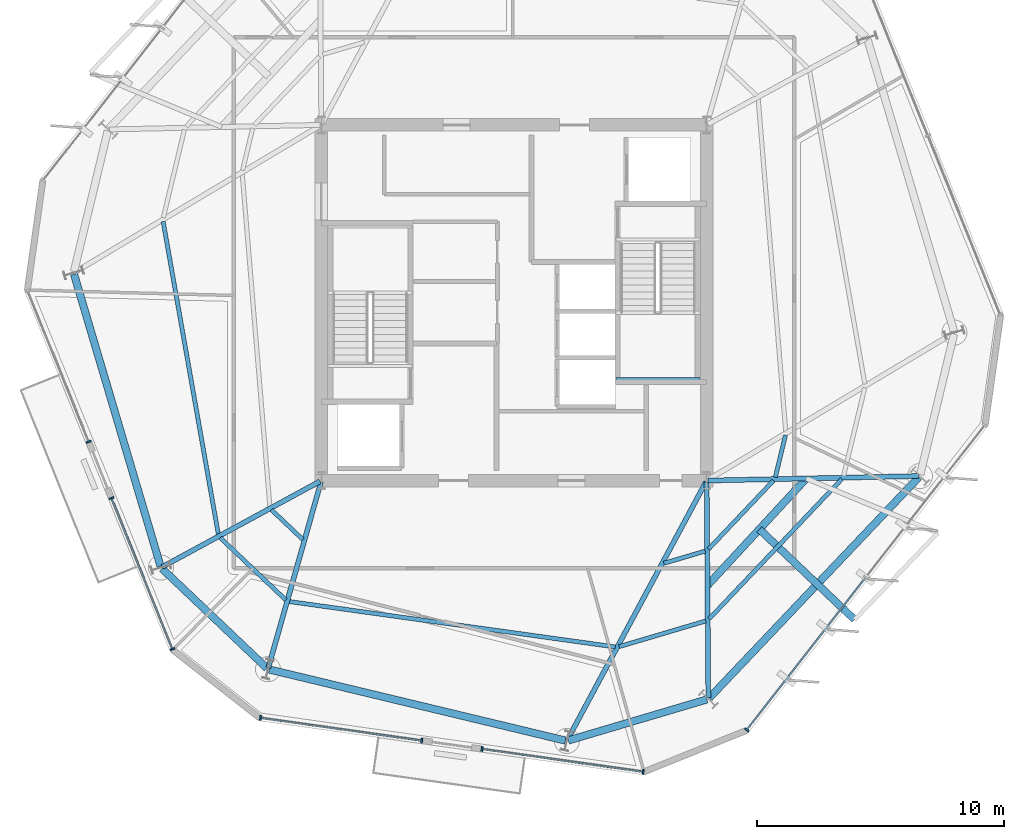
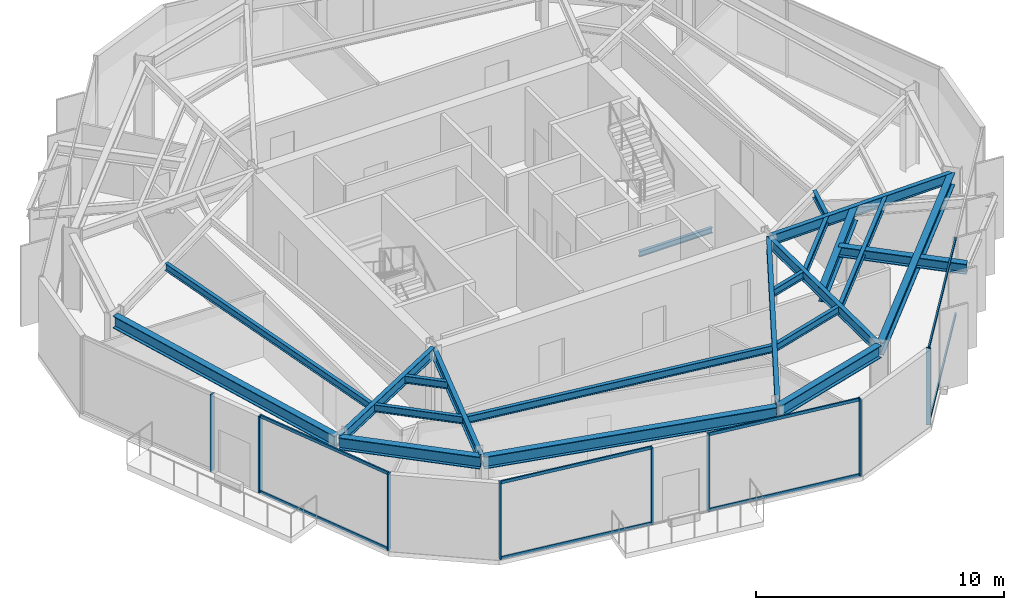
# One storey, part 2 of 11: 22 beams, 16 members, 5 elements without a shape of their own.
"""IFC4 building model written with IfcOpenShell, lengths in metres."""

from ifc_helpers import new_model, si_unit, direction, frame, origin, origin_2d, place, context, subcontext, project, spatial, rectangle, i_section, extrude, material, layer, layer_set, material_profile, profile_set, type_object, element, aggregate, save


model = new_model("IFC4")

# Units and contexts
model_context = context("Model", 3, precision=1e-05, world=origin(), true_north=direction((0.0, 1.0)))
body_context = subcontext(model_context, "Body", "Model", "MODEL_VIEW")
ifc_project = project(units=[si_unit("LENGTHUNIT", "METRE"), si_unit("AREAUNIT", "SQUARE_METRE"), si_unit("VOLUMEUNIT", "CUBIC_METRE"), si_unit("PLANEANGLEUNIT", "RADIAN"), si_unit("MASSUNIT", "GRAM", prefix="KILO")], contexts=[model_context])

# Site, building, storey
site_placement = place(None, origin())
site = spatial("IfcSite", under=ifc_project, at=site_placement, CompositionType="ELEMENT")
building_placement = place(site_placement, origin())
building = spatial("IfcBuilding", under=site, at=building_placement, Name="Kranzbogen Civic Tower", CompositionType="ELEMENT")
storey_placement = place(building_placement, frame((0.0, 0.0, 232.800048828125)))
storey = spatial("IfcBuildingStorey", under=building, at=storey_placement, Name="L56", CompositionType="ELEMENT", Elevation=232.800048828125)

# Curtain wall, member
ifc_material_1 = material(Name="Pale Anodised Aluminium", Category="aluminium")
ifc_layer = layer(ifc_material_1, 0.219970703125, Name="Pale Anodised Aluminium")
ifc_layer_set = layer_set([ifc_layer], Name="Pale Anodised Aluminium")
curtain_wall_type = type_object("IfcCurtainWallType", Name="Zone 3 Stick Curtain Wall System CW-04", PredefinedType="USERDEFINED", material=ifc_layer_set)
curtain_wall_1_placement = place(storey_placement, origin())
curtain_wall_1 = element("IfcCurtainWall", 1, at=curtain_wall_1_placement, inside=storey, type_object=curtain_wall_type, Name="L56 curtain wall CW-L56-F3-S1", ObjectType="STICK CURTAIN WALL", PredefinedType="USERDEFINED")
ifc_material_profile_1 = material_profile(ifc_material_1, rectangle(XDim=0.070068359375, YDim=0.199951171875, at=origin_2d()), Name="ALU-M 70x200")
ifc_profile_set_1 = profile_set([ifc_material_profile_1], Name="Pale Anodised Aluminium")
member_type_1 = type_object("IfcMemberType", Name="Curtain Wall Mullion ALU-M 70x200", PredefinedType="MULLION", material=ifc_profile_set_1)
member_1_placement = place(storey_placement, frame((7.78271484375, 19.370849609375, 0.0), z_axis=(0.0, 0.0, 1.0), x_axis=(0.374550026583, -0.927206707044, 0.0)))
member_1 = element("IfcMember", 2, at=member_1_placement, type_object=member_type_1, Name="CW-04 mullion 2", PredefinedType="MULLION", context=body_context, shape_type="SweptSolid", body=[
    extrude(rectangle(XDim=0.070068359375, YDim=0.199951171875, at=origin_2d()), origin(), (0.0, 0.0, 1.0), 3.780029296875),
])
aggregate(curtain_wall_1, [member_1])

# Curtain wall, members
curtain_wall_2_placement = place(storey_placement, origin())
curtain_wall_2 = element("IfcCurtainWall", 3, at=curtain_wall_2_placement, inside=storey, type_object=curtain_wall_type, Name="L56 curtain wall CW-L56-F3-S2", ObjectType="STICK CURTAIN WALL", PredefinedType="USERDEFINED")
member_2_placement = place(storey_placement, frame((8.704345703125, 17.089111328125, 0.0), z_axis=(0.0, 0.0, 1.0), x_axis=(0.374679231258, -0.927154503664, 0.0)))
member_2 = element("IfcMember", 4, at=member_2_placement, type_object=member_type_1, Name="CW-04 mullion 1", PredefinedType="MULLION", context=body_context, shape_type="SweptSolid", body=[
    extrude(rectangle(XDim=0.070068359375, YDim=0.199951171875, at=origin_2d()), origin(), (0.0, 0.0, 1.0), 3.780029296875),
])
member_3_placement = place(storey_placement, frame((11.1748046875, 10.975830078125, 0.0), z_axis=(0.0, 0.0, 1.0), x_axis=(0.374679231258, -0.927154503664, 0.0)))
member_3 = element("IfcMember", 5, at=member_3_placement, type_object=member_type_1, Name="CW-04 mullion 2", PredefinedType="MULLION", context=body_context, shape_type="SweptSolid", body=[
    extrude(rectangle(XDim=0.070068359375, YDim=0.199951171875, at=origin_2d()), origin(), (0.0, 0.0, 1.0), 3.780029296875),
])

curtain_wall_3_placement = place(storey_placement, origin())
curtain_wall_3 = element("IfcCurtainWall", 6, at=curtain_wall_3_placement, inside=storey, type_object=curtain_wall_type, Name="L56 curtain wall CW-L56-F4-S1", ObjectType="STICK CURTAIN WALL", PredefinedType="USERDEFINED")
member_4_placement = place(storey_placement, frame((14.73681640625, 8.19287109375, 0.0), z_axis=(0.0, 0.0, 1.0), x_axis=(0.990271466947, -0.139148919332, 0.0)))
member_4 = element("IfcMember", 7, at=member_4_placement, type_object=member_type_1, Name="CW-04 mullion 1", PredefinedType="MULLION", context=body_context, shape_type="SweptSolid", body=[
    extrude(rectangle(XDim=0.070068359375, YDim=0.199951171875, at=origin_2d()), origin(), (0.0, 0.0, 1.0), 3.780029296875),
])
member_5_placement = place(storey_placement, frame((21.267333984375, 7.275146484375, 0.0), z_axis=(0.0, 0.0, 1.0), x_axis=(0.990271466947, -0.139148919332, 0.0)))
member_5 = element("IfcMember", 8, at=member_5_placement, type_object=member_type_1, Name="CW-04 mullion 2", PredefinedType="MULLION", context=body_context, shape_type="SweptSolid", body=[
    extrude(rectangle(XDim=0.070068359375, YDim=0.199951171875, at=origin_2d()), origin(), (0.0, 0.0, 1.0), 3.780029296875),
])

curtain_wall_4_placement = place(storey_placement, origin())
curtain_wall_4 = element("IfcCurtainWall", 9, at=curtain_wall_4_placement, inside=storey, type_object=curtain_wall_type, Name="L56 curtain wall CW-L56-F4-S2", ObjectType="STICK CURTAIN WALL", PredefinedType="USERDEFINED")
member_6_placement = place(storey_placement, frame((23.70263671875, 6.932861328125, 0.0), z_axis=(0.0, 0.0, 1.0), x_axis=(0.990271466947, -0.139148919332, 0.0)))
member_6 = element("IfcMember", 10, at=member_6_placement, type_object=member_type_1, Name="CW-04 mullion 1", PredefinedType="MULLION", context=body_context, shape_type="SweptSolid", body=[
    extrude(rectangle(XDim=0.070068359375, YDim=0.199951171875, at=origin_2d()), origin(), (0.0, 0.0, 1.0), 3.780029296875),
])
member_7_placement = place(storey_placement, frame((30.2333984375, 6.01513671875, 0.0), z_axis=(0.0, 0.0, 1.0), x_axis=(0.990271466947, -0.139148919332, 0.0)))
member_7 = element("IfcMember", 11, at=member_7_placement, type_object=member_type_1, Name="CW-04 mullion 2", PredefinedType="MULLION", context=body_context, shape_type="SweptSolid", body=[
    extrude(rectangle(XDim=0.070068359375, YDim=0.199951171875, at=origin_2d()), origin(), (0.0, 0.0, 1.0), 3.780029296875),
])

# Curtain wall, member
curtain_wall_5_placement = place(storey_placement, origin())
curtain_wall_5 = element("IfcCurtainWall", 12, at=curtain_wall_5_placement, inside=storey, type_object=curtain_wall_type, Name="L56 curtain wall CW-L56-F5", ObjectType="STICK CURTAIN WALL", PredefinedType="USERDEFINED")
member_8_placement = place(storey_placement, frame((34.423583984375, 7.708740234375, 0.0), z_axis=(0.0, 0.0, 1.0), x_axis=(0.615631687439, 0.788034025548, 0.0)))
member_8 = element("IfcMember", 13, at=member_8_placement, type_object=member_type_1, Name="CW-04 mullion 1", PredefinedType="MULLION", context=body_context, shape_type="SweptSolid", body=[
    extrude(rectangle(XDim=0.070068359375, YDim=0.199951171875, at=origin_2d()), origin(), (0.0, 0.0, 1.0), 3.780029296875),
])

# Member
ifc_material_profile_2 = material_profile(ifc_material_1, rectangle(XDim=0.070068359375, YDim=0.14990234375, at=origin_2d()), Name="ALU-T 70x150")
ifc_profile_set_2 = profile_set([ifc_material_profile_2], Name="Pale Anodised Aluminium")
member_type_2 = type_object("IfcMemberType", Name="Curtain Wall Transom ALU-T 70x150", PredefinedType="USERDEFINED", material=ifc_profile_set_2)
member_9_placement = place(storey_placement, frame((8.715576171875, 17.061279296875, 0.030029296875), z_axis=(0.374680517363, -0.927153983925, 0.0), x_axis=(0.927153983925, 0.374680517363, 0.0)))
member_9 = element("IfcMember", 14, at=member_9_placement, type_object=member_type_2, Name="CW-04 transom 1.1", ObjectType="TRANSOM", PredefinedType="USERDEFINED", context=body_context, shape_type="SweptSolid", body=[
    extrude(rectangle(XDim=0.070068359375, YDim=0.14990234375, at=origin_2d()), origin(), (0.0, 0.0, 1.0), 6.533447265625),
])

member_10_placement = place(storey_placement, frame((8.715576171875, 17.061279296875, 3.75), z_axis=(0.374680517363, -0.927153983925, 0.0), x_axis=(0.927153983925, 0.374680517363, 0.0)))
member_10 = element("IfcMember", 15, at=member_10_placement, type_object=member_type_2, Name="CW-04 transom 1.2", ObjectType="TRANSOM", PredefinedType="USERDEFINED", context=body_context, shape_type="SweptSolid", body=[
    extrude(rectangle(XDim=0.070068359375, YDim=0.14990234375, at=origin_2d()), origin(), (0.0, 0.0, 1.0), 6.533447265625),
])

aggregate(curtain_wall_2, [member_2, member_3, member_9, member_10])

member_11_placement = place(storey_placement, frame((14.766357421875, 8.188720703125, 0.030029296875), z_axis=(0.990268971661, -0.139166676203, 0.0), x_axis=(0.139166676203, 0.990268971661, 0.0)))
member_11 = element("IfcMember", 16, at=member_11_placement, type_object=member_type_2, Name="CW-04 transom 1.1", ObjectType="TRANSOM", PredefinedType="USERDEFINED", context=body_context, shape_type="SweptSolid", body=[
    extrude(rectangle(XDim=0.070068359375, YDim=0.14990234375, at=origin_2d()), origin(), (0.0, 0.0, 1.0), 6.53466796875),
])

member_12_placement = place(storey_placement, frame((14.766357421875, 8.188720703125, 3.75), z_axis=(0.990268971661, -0.139166676203, 0.0), x_axis=(0.139166676203, 0.990268971661, 0.0)))
member_12 = element("IfcMember", 17, at=member_12_placement, type_object=member_type_2, Name="CW-04 transom 1.2", ObjectType="TRANSOM", PredefinedType="USERDEFINED", context=body_context, shape_type="SweptSolid", body=[
    extrude(rectangle(XDim=0.070068359375, YDim=0.14990234375, at=origin_2d()), origin(), (0.0, 0.0, 1.0), 6.53466796875),
])

aggregate(curtain_wall_3, [member_4, member_5, member_11, member_12])

member_13_placement = place(storey_placement, frame((23.732421875, 6.9287109375, 0.030029296875), z_axis=(0.990268971661, -0.139166676203, 0.0), x_axis=(0.139166676203, 0.990268971661, 0.0)))
member_13 = element("IfcMember", 18, at=member_13_placement, type_object=member_type_2, Name="CW-04 transom 1.1", ObjectType="TRANSOM", PredefinedType="USERDEFINED", context=body_context, shape_type="SweptSolid", body=[
    extrude(rectangle(XDim=0.070068359375, YDim=0.14990234375, at=origin_2d()), origin(), (0.0, 0.0, 1.0), 6.53466796875),
])

member_14_placement = place(storey_placement, frame((23.732421875, 6.9287109375, 3.75), z_axis=(0.990268971661, -0.139166676203, 0.0), x_axis=(0.139166676203, 0.990268971661, 0.0)))
member_14 = element("IfcMember", 19, at=member_14_placement, type_object=member_type_2, Name="CW-04 transom 1.2", ObjectType="TRANSOM", PredefinedType="USERDEFINED", context=body_context, shape_type="SweptSolid", body=[
    extrude(rectangle(XDim=0.070068359375, YDim=0.14990234375, at=origin_2d()), origin(), (0.0, 0.0, 1.0), 6.53466796875),
])

aggregate(curtain_wall_4, [member_6, member_7, member_13, member_14])

member_15_placement = place(storey_placement, frame((34.44189453125, 7.732177734375, 0.030029296875), z_axis=(0.61562207326, 0.788041536288, 0.0), x_axis=(-0.788041536288, 0.61562207326, 0.0)))
member_15 = element("IfcMember", 20, at=member_15_placement, type_object=member_type_2, Name="CW-04 transom 1.1", ObjectType="TRANSOM", PredefinedType="USERDEFINED", context=body_context, shape_type="SweptSolid", body=[
    extrude(rectangle(XDim=0.070068359375, YDim=0.14990234375, at=origin_2d()), origin(), (0.0, 0.0, 1.0), 7.763671875),
])

member_16_placement = place(storey_placement, frame((34.44189453125, 7.732177734375, 3.75), z_axis=(0.61562207326, 0.788041536288, 0.0), x_axis=(-0.788041536288, 0.61562207326, 0.0)))
member_16 = element("IfcMember", 21, at=member_16_placement, type_object=member_type_2, Name="CW-04 transom 1.2", ObjectType="TRANSOM", PredefinedType="USERDEFINED", context=body_context, shape_type="SweptSolid", body=[
    extrude(rectangle(XDim=0.070068359375, YDim=0.14990234375, at=origin_2d()), origin(), (0.0, 0.0, 1.0), 7.763671875),
])

aggregate(curtain_wall_5, [member_8, member_15, member_16])

# Beams
ifc_material_2 = material(Name="Steel S355", Category="steel")
ifc_material_profile_3 = material_profile(ifc_material_2, i_section(OverallWidth=0.300048828125, OverallDepth=0.5, WebThickness=0.014404296875, FlangeThickness=0.028076171875, at=origin_2d()), Name="HEB 500")
ifc_profile_set_3 = profile_set([ifc_material_profile_3], Name="Steel S355")
beam_type_1 = type_object("IfcBeamType", Name="Perimeter Tube Spandrel Beam HEB 500", PredefinedType="SPANDREL", material=ifc_profile_set_3)
beam_1_placement = place(storey_placement, frame((34.93310546875, 15.830078125, 3.5), z_axis=(0.725363783706, -0.688365732215, 0.0), x_axis=(0.688365732215, 0.725363783706, 0.0)))
element("IfcBeam", 22, at=beam_1_placement, inside=storey, type_object=beam_type_1, Name="L57 back-spanned terrace beam L57-TB2-1", PredefinedType="SPANDREL", context=body_context, shape_type="SweptSolid", body=[
    extrude(i_section(OverallWidth=0.300048828125, OverallDepth=0.5, WebThickness=0.014404296875, FlangeThickness=0.028076171875, at=origin_2d()), origin(), (0.0, 0.0, 1.0), 5.318603515625),
])
ifc_material_profile_4 = material_profile(ifc_material_2, i_section(OverallWidth=0.300048828125, OverallDepth=0.60009765625, WebThickness=0.015380859375, FlangeThickness=0.030029296875, at=origin_2d()), Name="HEB 600")
ifc_profile_set_4 = profile_set([ifc_material_profile_4], Name="Steel S355")
beam_type_2 = type_object("IfcBeamType", Name="Perimeter Tube Spandrel Beam HEB 600", PredefinedType="SPANDREL", material=ifc_profile_set_4)
beam_2_placement = place(storey_placement, frame((10.7509765625, 14.235107421875, 3.47998046875), z_axis=(0.725245206788, -0.688490660816, 0.0), x_axis=(0.688490660816, 0.725245206788, 0.0)))
element("IfcBeam", 23, at=beam_2_placement, inside=storey, type_object=beam_type_2, Name="L56 perimeter spandrel beam 01", PredefinedType="SPANDREL", context=body_context, shape_type="SweptSolid", body=[
    extrude(i_section(OverallWidth=0.300048828125, OverallDepth=0.60009765625, WebThickness=0.015380859375, FlangeThickness=0.030029296875, at=origin_2d()), origin(), (0.0, 0.0, 1.0), 5.85205078125),
])
beam_3_placement = place(storey_placement, frame((15.096923828125, 10.15087890625, 3.47998046875), z_axis=(0.972377592092, -0.233413406637, 0.0), x_axis=(0.233413406637, 0.972377592092, 0.0)))
element("IfcBeam", 24, at=beam_3_placement, inside=storey, type_object=beam_type_2, Name="L56 perimeter spandrel beam 02", PredefinedType="SPANDREL", context=body_context, shape_type="SweptSolid", body=[
    extrude(i_section(OverallWidth=0.300048828125, OverallDepth=0.60009765625, WebThickness=0.015380859375, FlangeThickness=0.030029296875, at=origin_2d()), origin(), (0.0, 0.0, 1.0), 12.32568359375),
])
beam_4_placement = place(storey_placement, frame((27.197998046875, 7.277099609375, 3.47998046875), z_axis=(0.9588296723, 0.283981794341, 0.0), x_axis=(-0.283981794341, 0.9588296723, 0.0)))
element("IfcBeam", 25, at=beam_4_placement, inside=storey, type_object=beam_type_2, Name="L56 perimeter spandrel beam 03", PredefinedType="SPANDREL", context=body_context, shape_type="SweptSolid", body=[
    extrude(i_section(OverallWidth=0.300048828125, OverallDepth=0.60009765625, WebThickness=0.015380859375, FlangeThickness=0.030029296875, at=origin_2d()), origin(), (0.0, 0.0, 1.0), 5.85205078125),
])
beam_5_placement = place(storey_placement, frame((32.907958984375, 9.0, 3.47998046875), z_axis=(0.688373497874, 0.725356414065, 0.0), x_axis=(-0.725356414065, 0.688373497874, 0.0)))
element("IfcBeam", 26, at=beam_5_placement, inside=storey, type_object=beam_type_2, Name="L56 perimeter spandrel beam 04", PredefinedType="SPANDREL", context=body_context, shape_type="SweptSolid", body=[
    extrude(i_section(OverallWidth=0.300048828125, OverallDepth=0.60009765625, WebThickness=0.015380859375, FlangeThickness=0.030029296875, at=origin_2d()), origin(), (0.0, 0.0, 1.0), 12.324951171875),
])
beam_6_placement = place(storey_placement, frame((7.18896484375, 26.15087890625, 3.47998046875), z_axis=(0.284064048956, -0.958805306666, 0.0), x_axis=(0.958805306666, 0.284064048956, 0.0)))
element("IfcBeam", 27, at=beam_6_placement, inside=storey, type_object=beam_type_2, Name="L56 perimeter spandrel beam 12", PredefinedType="SPANDREL", context=body_context, shape_type="SweptSolid", body=[
    extrude(i_section(OverallWidth=0.300048828125, OverallDepth=0.60009765625, WebThickness=0.015380859375, FlangeThickness=0.030029296875, at=origin_2d()), origin(), (0.0, 0.0, 1.0), 12.32470703125),
])
ifc_material_profile_5 = material_profile(ifc_material_2, i_section(OverallWidth=0.300048828125, OverallDepth=0.699951171875, WebThickness=0.01708984375, FlangeThickness=0.031982421875, at=origin_2d()), Name="HEB 700")
ifc_profile_set_5 = profile_set([ifc_material_profile_5], Name="Steel S355")
beam_type_3 = type_object("IfcBeamType", Name="Perimeter Tube Spandrel Beam HEB 700", PredefinedType="SPANDREL", material=ifc_profile_set_5)
beam_7_placement = place(storey_placement, frame((32.83203125, 13.555908203125, 3.39990234375), z_axis=(0.678733988671, 0.734384213218, 0.0), x_axis=(-0.734384213218, 0.678733988671, 0.0)))
element("IfcBeam", 28, at=beam_7_placement, inside=storey, type_object=beam_type_3, Name="L57 balcony back-span header girder L57-TB2", PredefinedType="SPANDREL", context=body_context, shape_type="SweptSolid", body=[
    extrude(i_section(OverallWidth=0.300048828125, OverallDepth=0.699951171875, WebThickness=0.01708984375, FlangeThickness=0.031982421875, at=origin_2d()), origin(), (0.0, 0.0, 1.0), 5.896240234375),
])
ifc_material_profile_6 = material_profile(ifc_material_2, i_section(OverallWidth=0.199951171875, OverallDepth=0.5, WebThickness=0.01025390625, FlangeThickness=0.01611328125, at=origin_2d()), Name="IPE 500")
ifc_profile_set_6 = profile_set([ifc_material_profile_6], Name="Steel S355")
beam_type_4 = type_object("IfcBeamType", Name="Radial Tower Floor Girder IPE 500", PredefinedType="BEAM", material=ifc_profile_set_6)
beam_8_placement = place(storey_placement, frame((10.760009765625, 14.304931640625, 3.530029296875), z_axis=(0.878919430102, 0.476970266777, 0.0), x_axis=(-0.476970266777, 0.878919430102, 0.0)))
element("IfcBeam", 29, at=beam_8_placement, inside=storey, type_object=beam_type_4, Name="L56 radial floor girder 01", PredefinedType="BEAM", context=body_context, shape_type="SweptSolid", body=[
    extrude(i_section(OverallWidth=0.199951171875, OverallDepth=0.5, WebThickness=0.01025390625, FlangeThickness=0.01611328125, at=origin_2d()), origin(), (0.0, 0.0, 1.0), 7.266845703125),
])
beam_9_placement = place(storey_placement, frame((15.054931640625, 10.222900390625, 3.530029296875), z_axis=(0.272455078988, 0.962168503919, 0.0), x_axis=(-0.962168503919, 0.272455078988, 0.0)))
element("IfcBeam", 30, at=beam_9_placement, inside=storey, type_object=beam_type_4, Name="L56 radial floor girder 02", PredefinedType="BEAM", context=body_context, shape_type="SweptSolid", body=[
    extrude(i_section(OverallWidth=0.199951171875, OverallDepth=0.5, WebThickness=0.01025390625, FlangeThickness=0.01611328125, at=origin_2d()), origin(), (0.0, 0.0, 1.0), 7.814697265625),
])
beam_10_placement = place(storey_placement, frame((27.16796875, 7.31298828125, 3.530029296875), z_axis=(0.473160413549, 0.880976289721, 0.0), x_axis=(-0.880976289721, 0.473160413549, 0.0)))
element("IfcBeam", 31, at=beam_10_placement, inside=storey, type_object=beam_type_4, Name="L56 radial floor girder 03", PredefinedType="BEAM", context=body_context, shape_type="SweptSolid", body=[
    extrude(i_section(OverallWidth=0.199951171875, OverallDepth=0.5, WebThickness=0.01025390625, FlangeThickness=0.01611328125, at=origin_2d()), origin(), (0.0, 0.0, 1.0), 11.84375),
])
beam_11_placement = place(storey_placement, frame((32.866943359375, 9.01611328125, 3.530029296875), z_axis=(-0.007667756557, 0.999970602323, 0.0), x_axis=(-0.999970602323, -0.007667756557, 0.0)))
element("IfcBeam", 32, at=beam_11_placement, inside=storey, type_object=beam_type_4, Name="L56 radial floor girder 04", PredefinedType="BEAM", context=body_context, shape_type="SweptSolid", body=[
    extrude(i_section(OverallWidth=0.199951171875, OverallDepth=0.5, WebThickness=0.01025390625, FlangeThickness=0.01611328125, at=origin_2d()), origin(), (0.0, 0.0, 1.0), 8.72412109375),
])
beam_12_placement = place(storey_placement, frame((41.373046875, 17.98291015625, 3.530029296875), z_axis=(-0.99977183191, -0.021360808018, 0.0), x_axis=(0.021360808018, -0.99977183191, 0.0)))
element("IfcBeam", 33, at=beam_12_placement, inside=storey, type_object=beam_type_4, Name="L56 radial floor girder 05", PredefinedType="BEAM", context=body_context, shape_type="SweptSolid", body=[
    extrude(i_section(OverallWidth=0.199951171875, OverallDepth=0.5, WebThickness=0.01025390625, FlangeThickness=0.01611328125, at=origin_2d()), origin(), (0.0, 0.0, 1.0), 8.514892578125),
])
ifc_material_profile_7 = material_profile(ifc_material_2, i_section(OverallWidth=0.169921875, OverallDepth=0.360107421875, WebThickness=0.008056640625, FlangeThickness=0.0126953125, at=origin_2d()), Name="IPE 360")
ifc_profile_set_7 = profile_set([ifc_material_profile_7], Name="Steel S355")
beam_type_5 = type_object("IfcBeamType", Name="Secondary Composite Floor Joist IPE 360", PredefinedType="JOIST", material=ifc_profile_set_7)
beam_13_placement = place(storey_placement, frame((13.10302734375, 15.489990234375, 3.599853515625), z_axis=(0.725300648604, -0.688432254572, 0.0), x_axis=(0.688432254572, 0.725300648604, 0.0)))
element("IfcBeam", 34, at=beam_13_placement, inside=storey, type_object=beam_type_5, Name="L56 secondary floor joist 1.01", PredefinedType="JOIST", context=body_context, shape_type="SweptSolid", body=[
    extrude(i_section(OverallWidth=0.169921875, OverallDepth=0.360107421875, WebThickness=0.008056640625, FlangeThickness=0.0126953125, at=origin_2d()), origin(), (0.0, 0.0, 1.0), 3.661865234375),
])
beam_14_placement = place(storey_placement, frame((15.179931640625, 16.616943359375, 3.599853515625), z_axis=(0.725479767774, -0.688243493649, 0.0), x_axis=(0.688243493649, 0.725479767774, 0.0)))
element("IfcBeam", 35, at=beam_14_placement, inside=storey, type_object=beam_type_5, Name="L56 secondary floor joist 2.01", PredefinedType="JOIST", context=body_context, shape_type="SweptSolid", body=[
    extrude(i_section(OverallWidth=0.169921875, OverallDepth=0.360107421875, WebThickness=0.008056640625, FlangeThickness=0.0126953125, at=origin_2d()), origin(), (0.0, 0.0, 1.0), 1.75048828125),
])
beam_15_placement = place(storey_placement, frame((15.89599609375, 12.903076171875, 3.599853515625), z_axis=(0.990445837232, -0.137902296968, 0.0), x_axis=(0.137902296968, 0.990445837232, 0.0)))
element("IfcBeam", 36, at=beam_15_placement, inside=storey, type_object=beam_type_5, Name="L56 secondary floor joist 1.02", PredefinedType="JOIST", context=body_context, shape_type="SweptSolid", body=[
    extrude(i_section(OverallWidth=0.169921875, OverallDepth=0.360107421875, WebThickness=0.008056640625, FlangeThickness=0.0126953125, at=origin_2d()), origin(), (0.0, 0.0, 1.0), 13.329345703125),
])
beam_16_placement = place(storey_placement, frame((29.25390625, 11.076904296875, 3.599853515625), z_axis=(0.958843823165, 0.283934011309, 0.0), x_axis=(-0.283934011309, 0.958843823165, 0.0)))
element("IfcBeam", 37, at=beam_16_placement, inside=storey, type_object=beam_type_5, Name="L56 secondary floor joist 1.03", PredefinedType="JOIST", context=body_context, shape_type="SweptSolid", body=[
    extrude(i_section(OverallWidth=0.169921875, OverallDepth=0.360107421875, WebThickness=0.008056640625, FlangeThickness=0.0126953125, at=origin_2d()), origin(), (0.0, 0.0, 1.0), 3.662841796875),
])
beam_17_placement = place(storey_placement, frame((31.06591796875, 14.449951171875, 3.599853515625), z_axis=(0.958871214757, 0.283841493638, 0.0), x_axis=(-0.283841493638, 0.958871214757, 0.0)))
element("IfcBeam", 38, at=beam_17_placement, inside=storey, type_object=beam_type_5, Name="L56 secondary floor joist 2.03", PredefinedType="JOIST", context=body_context, shape_type="SweptSolid", body=[
    extrude(i_section(OverallWidth=0.169921875, OverallDepth=0.360107421875, WebThickness=0.008056640625, FlangeThickness=0.0126953125, at=origin_2d()), origin(), (0.0, 0.0, 1.0), 1.751220703125),
])
beam_18_placement = place(storey_placement, frame((32.89794921875, 12.197998046875, 3.599853515625), z_axis=(0.688282381634, 0.725442873789, 0.0), x_axis=(-0.725442873789, 0.688282381634, 0.0)))
element("IfcBeam", 39, at=beam_18_placement, inside=storey, type_object=beam_type_5, Name="L56 secondary floor joist 1.04", PredefinedType="JOIST", context=body_context, shape_type="SweptSolid", body=[
    extrude(i_section(OverallWidth=0.169921875, OverallDepth=0.360107421875, WebThickness=0.008056640625, FlangeThickness=0.0126953125, at=origin_2d()), origin(), (0.0, 0.0, 1.0), 7.804931640625),
])
beam_19_placement = place(storey_placement, frame((32.876953125, 15.028076171875, 3.599853515625), z_axis=(0.688175084876, 0.725544659243, 0.0), x_axis=(-0.725544659243, 0.688175084876, 0.0)))
element("IfcBeam", 40, at=beam_19_placement, inside=storey, type_object=beam_type_5, Name="L56 secondary floor joist 2.04", PredefinedType="JOIST", context=body_context, shape_type="SweptSolid", body=[
    extrude(i_section(OverallWidth=0.169921875, OverallDepth=0.360107421875, WebThickness=0.008056640625, FlangeThickness=0.0126953125, at=origin_2d()), origin(), (0.0, 0.0, 1.0), 3.82177734375),
])
beam_20_placement = place(storey_placement, frame((35.5810546875, 17.93701171875, 3.599853515625), z_axis=(0.233631438607, 0.972325228972, 0.0), x_axis=(-0.972325228972, 0.233631438607, 0.0)))
element("IfcBeam", 41, at=beam_20_placement, inside=storey, type_object=beam_type_5, Name="L56 secondary floor joist 2.05", PredefinedType="JOIST", context=body_context, shape_type="SweptSolid", body=[
    extrude(i_section(OverallWidth=0.169921875, OverallDepth=0.360107421875, WebThickness=0.008056640625, FlangeThickness=0.0126953125, at=origin_2d()), origin(), (0.0, 0.0, 1.0), 1.750244140625),
])
beam_21_placement = place(storey_placement, frame((10.7958984375, 28.287109375, 3.599853515625), z_axis=(0.173805911364, -0.984779927281, 0.0), x_axis=(0.984779927281, 0.173805911364, 0.0)))
element("IfcBeam", 42, at=beam_21_placement, inside=storey, type_object=beam_type_5, Name="L56 secondary floor joist 1.12", PredefinedType="JOIST", context=body_context, shape_type="SweptSolid", body=[
    extrude(i_section(OverallWidth=0.169921875, OverallDepth=0.360107421875, WebThickness=0.008056640625, FlangeThickness=0.0126953125, at=origin_2d()), origin(), (0.0, 0.0, 1.0), 12.85986328125),
])
ifc_material_profile_8 = material_profile(ifc_material_2, i_section(OverallWidth=0.135009765625, OverallDepth=0.27001953125, WebThickness=0.006591796875, FlangeThickness=0.01025390625, at=origin_2d()), Name="IPE 270")
ifc_profile_set_8 = profile_set([ifc_material_profile_8], Name="Steel S355")
beam_type_6 = type_object("IfcBeamType", Name="Stair Landing Support Beam IPE 270", PredefinedType="JOIST", material=ifc_profile_set_8)
beam_22_placement = place(storey_placement, frame((29.1201171875, 21.89990234375, 1.6650390625), z_axis=(1.0, 0.0, 0.0), x_axis=(0.0, 1.0, 0.0)))
element("IfcBeam", 43, at=beam_22_placement, inside=storey, type_object=beam_type_6, Name="L56 ST-T2 landing support beam 1.2", PredefinedType="JOIST", context=body_context, shape_type="SweptSolid", body=[
    extrude(i_section(OverallWidth=0.135009765625, OverallDepth=0.27001953125, WebThickness=0.006591796875, FlangeThickness=0.01025390625, at=origin_2d()), origin(), (0.0, 0.0, 1.0), 3.409912109375),
])

save(model, "model.ifc")
